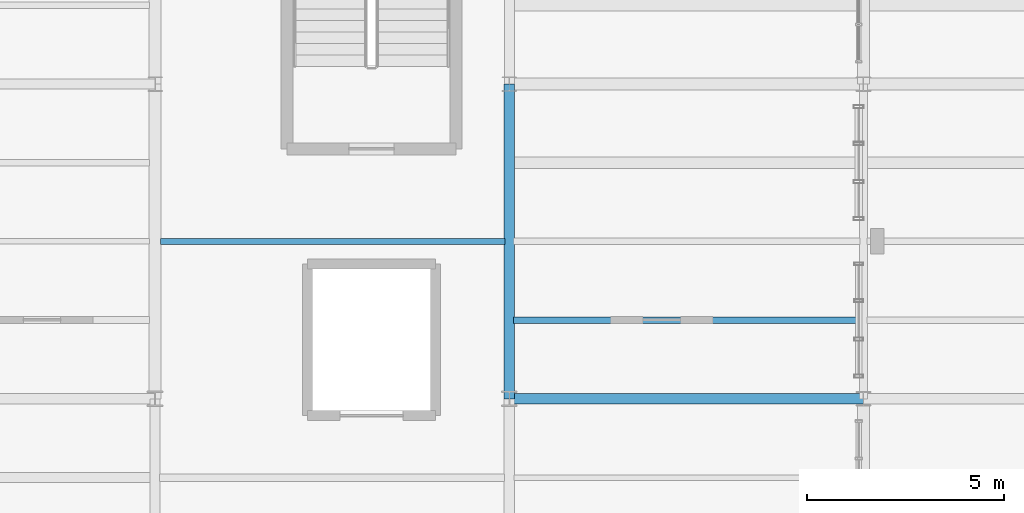
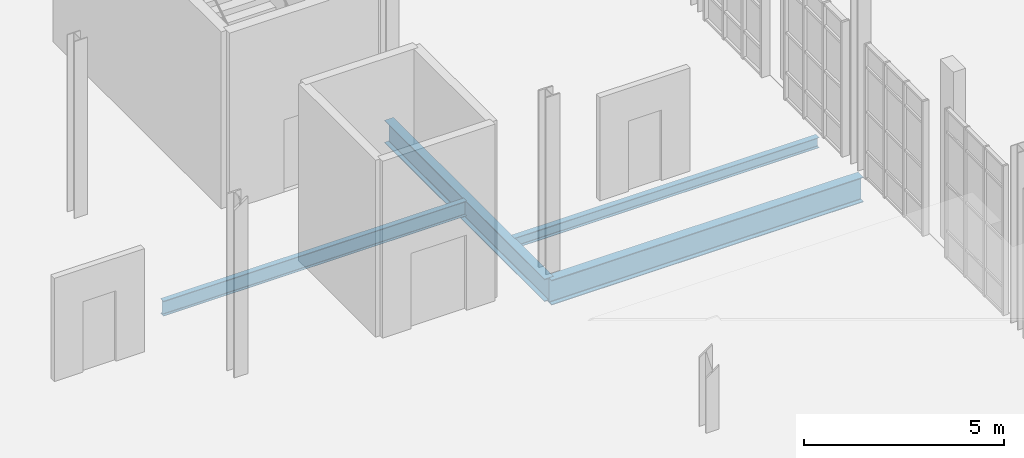
# One storey, part 77 of 142: 4 beams.
"""IFC4 building model written with IfcOpenShell, lengths in metres."""

import ifcopenshell
import ifcopenshell.guid

model = None  # the IFC model being written
_history = None  # IfcOwnerHistory: only IFC2X3 demands one
_inside = {}  # id of a spatial element -> (the spatial element, [elements in it])
_under = {}  # id of a project, library or spatial element -> (it, [spatial elements below it])
_declared = {}  # id of a project -> (the project, [libraries it declares])
_typed = {}  # id of a type object -> (the type object, [elements of that type])
_made_of = {}  # id of a material, layer set ... -> (it, [elements and type objects made of it])


def new_model(schema):
    """Start an empty IFC model of exactly this schema.

    Asked for "IFC4X3", IfcOpenShell would pick the latest addendum, in which some entities
    have other attributes; the version numbers below select the first issue.
    IFC2X3 requires an IfcOwnerHistory on every rooted entity: one is made here for all.
    """
    global model, _history
    if schema == "IFC4X3":
        model = ifcopenshell.file(schema_version=(4, 3, 0, 0))
    else:
        model = ifcopenshell.file(schema=schema)
    _inside.clear()
    _under.clear()
    _declared.clear()
    _typed.clear()
    _made_of.clear()
    _history = None
    if model.schema == "IFC2X3":
        org = make("IfcOrganization", Name="unknown")
        user = make(
            "IfcPersonAndOrganization",
            ThePerson=make("IfcPerson", FamilyName="unknown"),
            TheOrganization=org,
        )
        app = make(
            "IfcApplication",
            ApplicationDeveloper=org,
            Version="unknown",
            ApplicationFullName="unknown",
            ApplicationIdentifier="unknown",
        )
        _history = make(
            "IfcOwnerHistory",
            OwningUser=user,
            OwningApplication=app,
            ChangeAction="ADDED",
            CreationDate=0,
        )
    return model


def make(cls, **values):
    """One entity of the class cls with the attributes given. An attribute that is None is left unset."""
    return model.create_entity(
        cls, **{name: value for name, value in values.items() if value is not None}
    )


def rooted(cls, **values):
    """An entity with a GlobalId (a new one), such as an element, a storey or a relation."""
    return make(cls, GlobalId=ifcopenshell.guid.new(), OwnerHistory=_history, **values)


def si_unit(unit_type, name, prefix=None):
    """IfcSIUnit, for example si_unit("LENGTHUNIT", "METRE", prefix="MILLI")."""
    return make("IfcSIUnit", UnitType=unit_type, Prefix=prefix, Name=name)


def assignment(units):
    """IfcUnitAssignment: the units of a project."""
    return None if units is None else make("IfcUnitAssignment", Units=units)


def point(xyz):
    """IfcCartesianPoint."""
    return None if xyz is None else make("IfcCartesianPoint", Coordinates=xyz)


def direction(xyz):
    """IfcDirection."""
    return None if xyz is None else make("IfcDirection", DirectionRatios=xyz)


def frame(location, z_axis=None, x_axis=None):
    """IfcAxis2Placement3D, a coordinate frame: its origin and axes. An axis left out is left unset."""
    return make(
        "IfcAxis2Placement3D",
        Location=point(location),
        Axis=direction(z_axis),
        RefDirection=direction(x_axis),
    )


def frame_2d(location, x_axis=None):
    """IfcAxis2Placement2D, a coordinate frame in the plane: its origin and x axis."""
    return make(
        "IfcAxis2Placement2D", Location=point(location), RefDirection=direction(x_axis)
    )


def origin():
    """The frame at (0, 0, 0) with its axes left unset."""
    return frame((0.0, 0.0, 0.0))


def origin_2d():
    """The frame at (0, 0) in the plane with its x axis left unset."""
    return frame_2d((0.0, 0.0))


def place(relative_to, where):
    """IfcLocalPlacement: puts the frame where relative to a parent placement (None: the world)."""
    return make(
        "IfcLocalPlacement", PlacementRelTo=relative_to, RelativePlacement=where
    )


def context(
    kind, dimensions, precision=None, world=None, true_north=None, identifier=None
):
    """IfcGeometricRepresentationContext, for example the 3D "Model" context."""
    return make(
        "IfcGeometricRepresentationContext",
        ContextIdentifier=identifier,
        ContextType=kind,
        CoordinateSpaceDimension=dimensions,
        Precision=precision,
        WorldCoordinateSystem=world,
        TrueNorth=true_north,
    )


def subcontext(parent, identifier, kind, view, scale=None):
    """IfcGeometricRepresentationSubContext, for example "Body" below "Model"."""
    return make(
        "IfcGeometricRepresentationSubContext",
        ContextIdentifier=identifier,
        ContextType=kind,
        ParentContext=parent,
        TargetScale=scale,
        TargetView=view,
    )


def project(units=None, contexts=None):
    """IfcProject with its units and contexts."""
    return rooted(
        "IfcProject",
        Name="project",
        RepresentationContexts=contexts,
        UnitsInContext=assignment(units),
    )


def spatial(cls, under=None, at=None, **own):
    """A site, building, storey or space (cls), placed at a placement, below another one or the project."""
    s = rooted(cls, ObjectPlacement=at, **own)
    if under is not None:
        _under.setdefault(under.id(), (under, []))[1].append(s)
    return s


def profile(cls, at=None, kind="AREA", **sizes):
    """A parametric profile (cls). Its sizes go by their IFC names, for example OverallWidth=200.0."""
    return make(cls, ProfileType=kind, Position=at, **sizes)


def i_section(**sizes):
    """IfcIShapeProfileDef."""
    return profile("IfcIShapeProfileDef", **sizes)


def extrude(swept, where, along, depth):
    """IfcExtrudedAreaSolid: the profile swept, set in the frame where, extruded along a direction by depth."""
    return make(
        "IfcExtrudedAreaSolid",
        SweptArea=swept,
        Position=where,
        ExtrudedDirection=direction(along),
        Depth=depth,
    )


def shape(context_of_items, identifier, shape_type, items):
    """IfcShapeRepresentation: the items that make up one representation, for example the "Body"."""
    return make(
        "IfcShapeRepresentation",
        ContextOfItems=context_of_items,
        RepresentationIdentifier=identifier,
        RepresentationType=shape_type,
        Items=items,
    )


def material(Name=None, Category=None):
    """IfcMaterial."""
    return make("IfcMaterial", Name=Name, Category=Category)


def material_profile(
    of_material, cross_section, Name=None, Category=None, Priority=None
):
    """IfcMaterialProfile: a cross section and its material."""
    return make(
        "IfcMaterialProfile",
        Name=Name,
        Material=of_material,
        Profile=cross_section,
        Priority=Priority,
        Category=Category,
    )


def profile_set(profiles, Name=None, composite=None):
    """IfcMaterialProfileSet."""
    return make(
        "IfcMaterialProfileSet",
        Name=Name,
        MaterialProfiles=profiles,
        CompositeProfile=composite,
    )


def made_of(thing, what):
    """Note that an element or type object is made of a material, layer set ...; save() writes the relation."""
    if what is not None:
        _made_of.setdefault(what.id(), (what, []))[1].append(thing)
    return thing


def type_object(cls, material=None, **own):
    """A type object (cls), such as IfcWallType, which elements share."""
    return made_of(rooted(cls, **own), material)


def element(
    cls,
    number,
    at=None,
    inside=None,
    cuts=None,
    type_object=None,
    material=None,
    context=None,
    identifier="Body",
    shape_type=None,
    held_by="IfcProductDefinitionShape",
    body=None,
    shapes=None,
    **own,
):
    """One element of the class cls, such as IfcWall. Its Tag is "e" and its number.

    at: its placement. inside: the storey or other place that contains it. cuts: it is an
    opening in that element (IfcRelVoidsElement). A single representation is given by context,
    identifier, shape_type and body (its items); several are given by shapes. held_by: the class
    of the entity that holds the representations. save() writes the other relations.
    """
    e = rooted(cls, Tag="e%d" % number, ObjectPlacement=at, **own)
    if body is not None:
        shapes = [shape(context, identifier, shape_type, body)]
    if shapes is not None:
        e.Representation = make(held_by, Representations=shapes)
    if inside is not None:
        _inside.setdefault(inside.id(), (inside, []))[1].append(e)
    if cuts is not None:
        rooted(
            "IfcRelVoidsElement", RelatingBuildingElement=cuts, RelatedOpeningElement=e
        )
    if type_object is not None:
        _typed.setdefault(type_object.id(), (type_object, []))[1].append(e)
    return made_of(e, material)


def aggregate(whole, parts):
    """IfcRelAggregates: a whole, such as a stair, and the parts it consists of."""
    return rooted("IfcRelAggregates", RelatingObject=whole, RelatedObjects=parts)


def save(model, path):
    """Write the relations noted so far, then the file.

    IfcRelAggregates (storeys below a building ...), IfcRelContainedInSpatialStructure (elements
    in a storey), IfcRelDefinesByType, IfcRelAssociatesMaterial and IfcRelDeclares: one each for
    every whole, place, type object, material and project.
    """
    for whole, parts in _under.values():
        aggregate(whole, parts)
    for where, things in _inside.values():
        rooted(
            "IfcRelContainedInSpatialStructure",
            RelatedElements=things,
            RelatingStructure=where,
        )
    for kind, things in _typed.values():
        rooted("IfcRelDefinesByType", RelatedObjects=things, RelatingType=kind)
    for what, things in _made_of.values():
        rooted("IfcRelAssociatesMaterial", RelatedObjects=things, RelatingMaterial=what)
    for by, libraries in _declared.values():
        rooted("IfcRelDeclares", RelatingContext=by, RelatedDefinitions=libraries)
    model.write(path)


model = new_model("IFC4")

# Units and contexts
model_context = context("Model", 3, precision=1e-05, world=origin(), true_north=direction((0.0, 1.0)))
body_context = subcontext(model_context, "Body", "Model", "MODEL_VIEW")
ifc_project = project(units=[si_unit("LENGTHUNIT", "METRE"), si_unit("AREAUNIT", "SQUARE_METRE"), si_unit("VOLUMEUNIT", "CUBIC_METRE"), si_unit("PLANEANGLEUNIT", "RADIAN"), si_unit("MASSUNIT", "GRAM", prefix="KILO"), si_unit("THERMODYNAMICTEMPERATUREUNIT", "KELVIN"), si_unit("POWERUNIT", "WATT")], contexts=[model_context])

# Site, building, storey
site_placement = place(None, origin())
site = spatial("IfcSite", under=ifc_project, at=site_placement, CompositionType="ELEMENT")
building_placement = place(site_placement, origin())
building = spatial("IfcBuilding", under=site, at=building_placement, Name="Zelmaris Science Centre", CompositionType="ELEMENT")
storey_placement = place(building_placement, frame((0.0, 0.0, 5.39990234375)))
storey = spatial("IfcBuildingStorey", under=building, at=storey_placement, Name="L01", CompositionType="ELEMENT", Elevation=5.39990234375)

# Beams
ifc_material = material(Name="Steel ASTM A992 Grade 50", Category="steel")
ifc_material_profile_1 = material_profile(ifc_material, i_section(OverallWidth=0.257080078125, OverallDepth=0.693115234375, WebThickness=0.014404296875, FlangeThickness=0.023681640625, FilletRadius=0.01806640625, at=origin_2d()), Name="W27X114")
ifc_profile_set_1 = profile_set([ifc_material_profile_1], Name="Steel ASTM A992 Grade 50")
beam_type_1 = type_object("IfcBeamType", Name="Beam G-12 W27X114", PredefinedType="BEAM", material=ifc_profile_set_1)
beam_1_placement = place(storey_placement, frame((135.0, 32.0, -0.62646484375), z_axis=(0.0, 1.0, 0.0), x_axis=(-1.0, 0.0, 0.0)))
element("IfcBeam", 1, at=beam_1_placement, inside=storey, type_object=beam_type_1, Name="L01 North-south girder 316", PredefinedType="BEAM", context=body_context, shape_type="SweptSolid", body=[
    extrude(i_section(OverallWidth=0.257080078125, OverallDepth=0.693115234375, WebThickness=0.014404296875, FlangeThickness=0.023681640625, FilletRadius=0.01806640625, at=origin_2d()), origin(), (0.0, 0.0, 1.0), 8.0),
])
ifc_material_profile_2 = material_profile(ifc_material, i_section(OverallWidth=0.26708984375, OverallDepth=0.761962890625, WebThickness=0.014404296875, FlangeThickness=0.021484375, FilletRadius=0.01904296875, at=origin_2d()), Name="W30X116")
ifc_profile_set_2 = profile_set([ifc_material_profile_2], Name="Steel ASTM A992 Grade 50")
beam_type_2 = type_object("IfcBeamType", Name="Beam G-33 W30X116", PredefinedType="BEAM", material=ifc_profile_set_2)
beam_2_placement = place(storey_placement, frame((135.0, 32.0, -0.660888671875), z_axis=(1.0, 0.0, 0.0), x_axis=(0.0, 1.0, 0.0)))
element("IfcBeam", 2, at=beam_2_placement, inside=storey, type_object=beam_type_2, Name="L01 East-west girder 363", PredefinedType="BEAM", context=body_context, shape_type="SweptSolid", body=[
    extrude(i_section(OverallWidth=0.26708984375, OverallDepth=0.761962890625, WebThickness=0.014404296875, FlangeThickness=0.021484375, FilletRadius=0.01904296875, at=origin_2d()), origin(), (0.0, 0.0, 1.0), 9.0),
])
ifc_material_profile_3 = material_profile(ifc_material, i_section(OverallWidth=0.152099609375, OverallDepth=0.455078125, WebThickness=0.008056640625, FlangeThickness=0.01318359375, FilletRadius=0.012939453125, at=origin_2d()), Name="W18X40")
ifc_profile_set_3 = profile_set([ifc_material_profile_3], Name="Steel ASTM A992 Grade 50")
beam_type_3 = type_object("IfcBeamType", Name="Beam J-05 W18X40", PredefinedType="JOIST", material=ifc_profile_set_3)
beam_3_placement = place(storey_placement, frame((126.138427734375, 36.0, -0.50732421875), z_axis=(1.0, 0.0, 0.0), x_axis=(0.0, 1.0, 0.0)))
element("IfcBeam", 3, at=beam_3_placement, inside=storey, type_object=beam_type_3, Name="L01 Composite floor joist 193", PredefinedType="JOIST", context=body_context, shape_type="SweptSolid", body=[
    extrude(i_section(OverallWidth=0.152099609375, OverallDepth=0.455078125, WebThickness=0.008056640625, FlangeThickness=0.01318359375, FilletRadius=0.012939453125, at=origin_2d()), origin(), (0.0, 0.0, 1.0), 8.748046875),
])
ifc_material_profile_4 = material_profile(ifc_material, i_section(OverallWidth=0.1669921875, OverallDepth=0.318115234375, WebThickness=0.007568359375, FlangeThickness=0.01318359375, FilletRadius=0.011962890625, at=origin_2d()), Name="W12X35")
ifc_profile_set_4 = profile_set([ifc_material_profile_4], Name="Steel ASTM A992 Grade 50")
beam_type_4 = type_object("IfcBeamType", Name="Beam J-09 W12X35", PredefinedType="JOIST", material=ifc_profile_set_4)
beam_4_placement = place(storey_placement, frame((135.113525390625, 34.0, -0.43896484375), z_axis=(1.0, 0.0, 0.0), x_axis=(0.0, 1.0, 0.0)))
element("IfcBeam", 4, at=beam_4_placement, inside=storey, type_object=beam_type_4, Name="L01 Composite floor joist 206", PredefinedType="JOIST", context=body_context, shape_type="SweptSolid", body=[
    extrude(i_section(OverallWidth=0.1669921875, OverallDepth=0.318115234375, WebThickness=0.007568359375, FlangeThickness=0.01318359375, FilletRadius=0.011962890625, at=origin_2d()), origin(), (0.0, 0.0, 1.0), 8.7958984375),
])

save(model, "model.ifc")
